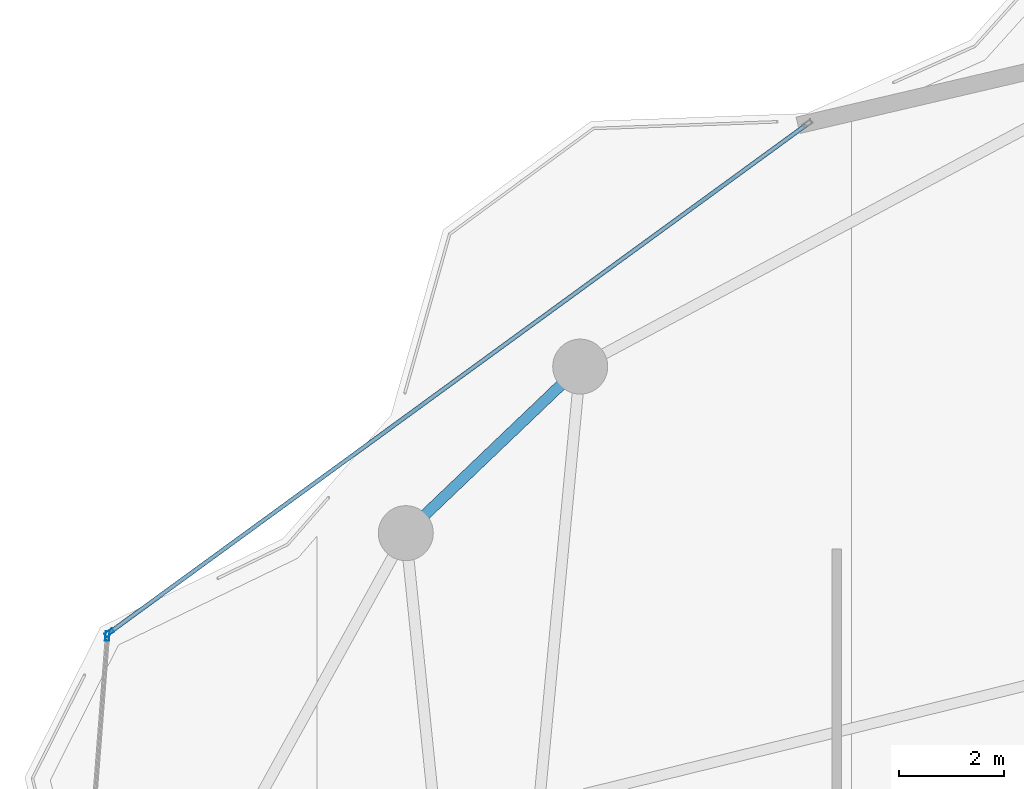
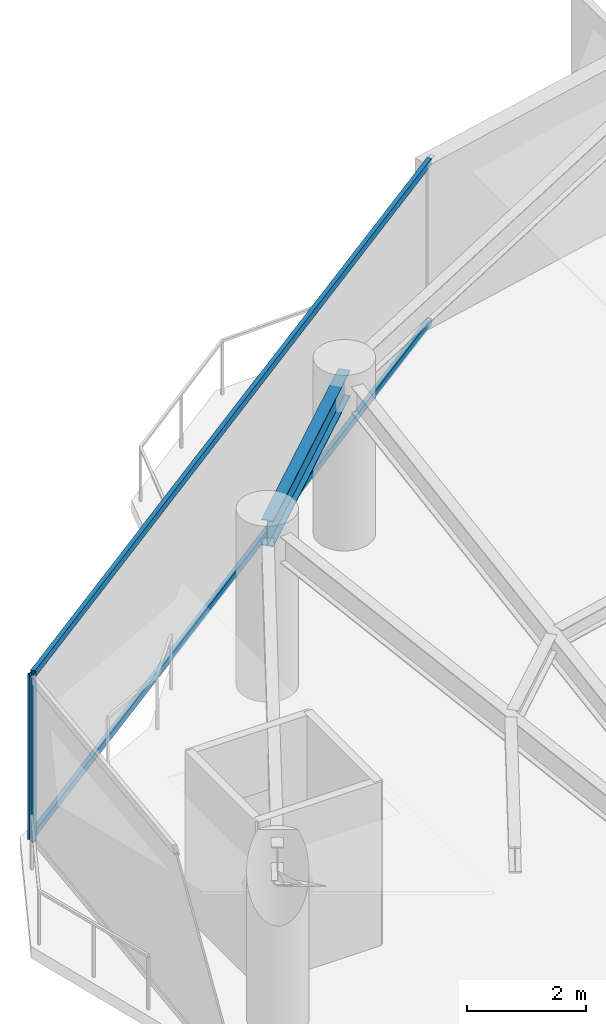
# One storey, part 17 of 30: 4 members, 1 beam, 2 elements without a shape of their own.
"""IFC4 building model written with IfcOpenShell, lengths in metres."""

from ifc_helpers import new_model, si_unit, direction, frame, origin, origin_2d, place, context, subcontext, project, spatial, hollow_rectangle, i_section, extrude, material, layer, layer_set, material_profile, profile_set, type_object, element, aggregate, save


model = new_model("IFC4")

# Units and contexts
model_context = context("Model", 3, precision=1e-05, world=origin(), true_north=direction((0.0, 1.0)))
body_context = subcontext(model_context, "Body", "Model", "MODEL_VIEW")
ifc_project = project(units=[si_unit("LENGTHUNIT", "METRE"), si_unit("AREAUNIT", "SQUARE_METRE"), si_unit("VOLUMEUNIT", "CUBIC_METRE"), si_unit("PLANEANGLEUNIT", "RADIAN"), si_unit("MASSUNIT", "GRAM", prefix="KILO")], contexts=[model_context])

# Site, building, storey
site_placement = place(None, origin())
site = spatial("IfcSite", under=ifc_project, at=site_placement, CompositionType="ELEMENT")
building_placement = place(site_placement, origin())
building = spatial("IfcBuilding", under=site, at=building_placement, Name="Kazevale Care Tower and Concert Hall", CompositionType="ELEMENT")
storey_placement = place(building_placement, frame((0.0, 0.0, 242.39990234375)))
storey = spatial("IfcBuildingStorey", under=building, at=storey_placement, Name="L64", CompositionType="ELEMENT", Elevation=242.39990234375)

# Curtain wall, member
ifc_material_1 = material(Name="Aluminium 6063-T6 and Low-E Glass", Category="aluminium")
ifc_layer = layer(ifc_material_1, 0.179931640625)
ifc_layer_set = layer_set([ifc_layer], Name="Aluminium 6063-T6 and Low-E Glass")
curtain_wall_type = type_object("IfcCurtainWallType", Name="Waist & Upper Residential Curtain Wall CW-4", PredefinedType="NOTDEFINED", material=ifc_layer_set)
curtain_wall_1_placement = place(storey_placement, origin())
curtain_wall_1 = element("IfcCurtainWall", 1, at=curtain_wall_1_placement, inside=storey, type_object=curtain_wall_type, Name="cw:L64:f13", PredefinedType="NOTDEFINED")
ifc_material_2 = material(Name="Aluminium 6063-T6", Category="aluminium")
ifc_material_profile_1 = material_profile(ifc_material_2, hollow_rectangle(XDim=0.080078125, YDim=0.179931640625, WallThickness=0.0048828125, at=origin_2d()), Name="ALU80x180x5")
ifc_profile_set_1 = profile_set([ifc_material_profile_1], Name="Aluminium 6063-T6")
member_type_1 = type_object("IfcMemberType", Name="CW-4 Mullion ALU80x180x5", PredefinedType="MULLION", material=ifc_profile_set_1)
member_1_placement = place(storey_placement, frame((14.722900390625, 49.865234375, 0.0), z_axis=(0.0, 0.0, 1.0), x_axis=(-0.996989311372, 0.077539106325, 0.0)))
member_1 = element("IfcMember", 2, at=member_1_placement, type_object=member_type_1, Name="CW-4 mullion 2", PredefinedType="MULLION", context=body_context, shape_type="SweptSolid", body=[
    extrude(hollow_rectangle(XDim=0.080078125, YDim=0.179931640625, WallThickness=0.0048828125, at=origin_2d()), origin(), (0.0, 0.0, 1.0), 3.360107421875),
])
aggregate(curtain_wall_1, [member_1])

# Curtain wall, members
curtain_wall_2_placement = place(storey_placement, origin())
curtain_wall_2 = element("IfcCurtainWall", 3, at=curtain_wall_2_placement, inside=storey, type_object=curtain_wall_type, Name="cw:L64:f14", PredefinedType="NOTDEFINED")
member_2_placement = place(storey_placement, frame((14.75830078125, 49.928466796875, 0.0), z_axis=(0.0, 0.0, 1.0), x_axis=(-0.588910374145, 0.808198348937, 0.0)))
member_2 = element("IfcMember", 4, at=member_2_placement, type_object=member_type_1, Name="CW-4 mullion 1", PredefinedType="MULLION", context=body_context, shape_type="SweptSolid", body=[
    extrude(hollow_rectangle(XDim=0.080078125, YDim=0.179931640625, WallThickness=0.0048828125, at=origin_2d()), origin(), (0.0, 0.0, 1.0), 3.360107421875),
])
ifc_material_profile_2 = material_profile(ifc_material_2, hollow_rectangle(XDim=0.080078125, YDim=0.139892578125, WallThickness=0.00390625, at=origin_2d()), Name="ALU80x140x4")
ifc_profile_set_2 = profile_set([ifc_material_profile_2], Name="Aluminium 6063-T6")
member_type_2 = type_object("IfcMemberType", Name="CW-4 Transom ALU80x140x4", PredefinedType="USERDEFINED", material=ifc_profile_set_2)
member_3_placement = place(storey_placement, frame((14.790771484375, 49.9521484375, 0.0400390625), z_axis=(0.808197463946, 0.588911588672, 0.0), x_axis=(-0.588911588672, 0.808197463946, 0.0)))
member_3 = element("IfcMember", 5, at=member_3_placement, type_object=member_type_2, Name="CW-4 transom 1.1", ObjectType="TRANSOM", PredefinedType="USERDEFINED", context=body_context, shape_type="SweptSolid", body=[
    extrude(hollow_rectangle(XDim=0.080078125, YDim=0.139892578125, WallThickness=0.00390625, at=origin_2d()), origin(), (0.0, 0.0, 1.0), 16.416259765625),
])
member_4_placement = place(storey_placement, frame((14.790771484375, 49.9521484375, 3.320068359375), z_axis=(0.808197463946, 0.588911588672, 0.0), x_axis=(-0.588911588672, 0.808197463946, 0.0)))
member_4 = element("IfcMember", 6, at=member_4_placement, type_object=member_type_2, Name="CW-4 transom 1.2", ObjectType="TRANSOM", PredefinedType="USERDEFINED", context=body_context, shape_type="SweptSolid", body=[
    extrude(hollow_rectangle(XDim=0.080078125, YDim=0.139892578125, WallThickness=0.00390625, at=origin_2d()), origin(), (0.0, 0.0, 1.0), 16.416259765625),
])
aggregate(curtain_wall_2, [member_2, member_3, member_4])

# Beam
ifc_material_3 = material(Name="Steel ASTM A572 Gr 50", Category="steel")
ifc_material_profile_3 = material_profile(ifc_material_3, i_section(OverallWidth=0.208984375, OverallDepth=0.532958984375, WebThickness=0.01025390625, FlangeThickness=0.015625, at=origin_2d()), Name="W530x92")
ifc_profile_set_3 = profile_set([ifc_material_profile_3], Name="Steel ASTM A572 Gr 50")
beam_type = type_object("IfcBeamType", Name="Upper Ring Beam W530x92", PredefinedType="BEAM", material=ifc_profile_set_3)
beam_placement = place(storey_placement, frame((23.75, 55.010009765625, 3.093505859375), z_axis=(-0.723223118589, -0.690614451585, 0.0), x_axis=(0.690614451585, -0.723223118589, 0.0)))
element("IfcBeam", 7, at=beam_placement, inside=storey, type_object=beam_type, Name="beam:L64:ring:07", PredefinedType="BEAM", context=body_context, shape_type="SweptSolid", body=[
    extrude(i_section(OverallWidth=0.208984375, OverallDepth=0.532958984375, WebThickness=0.01025390625, FlangeThickness=0.015625, at=origin_2d()), origin(), (0.0, 0.0, 1.0), 4.6044921875),
])

save(model, "model.ifc")
